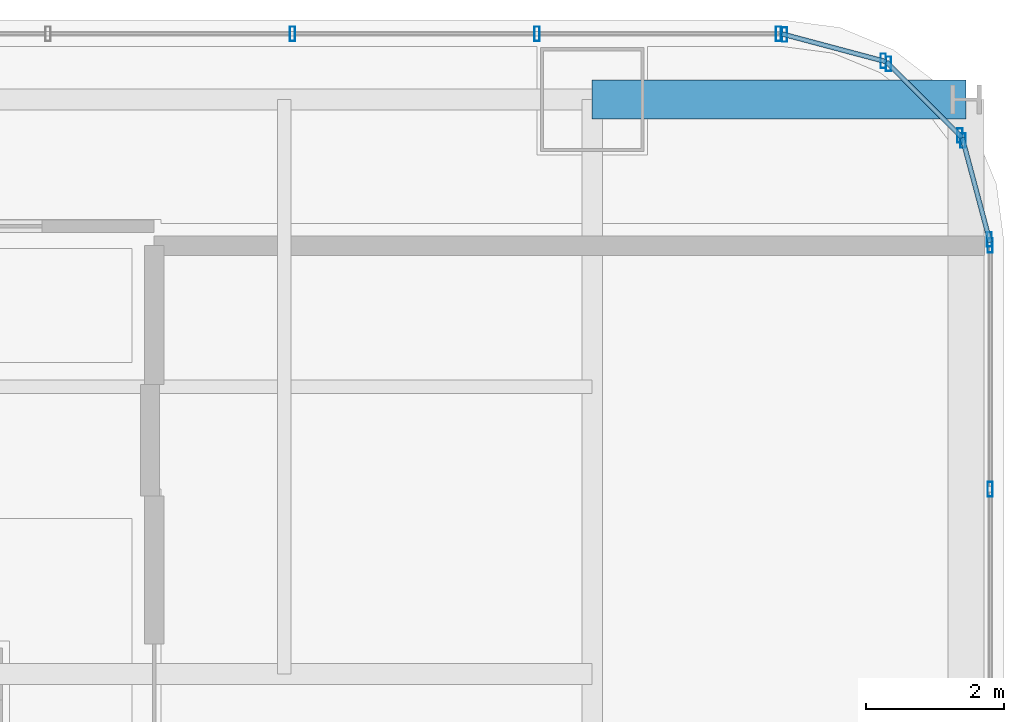
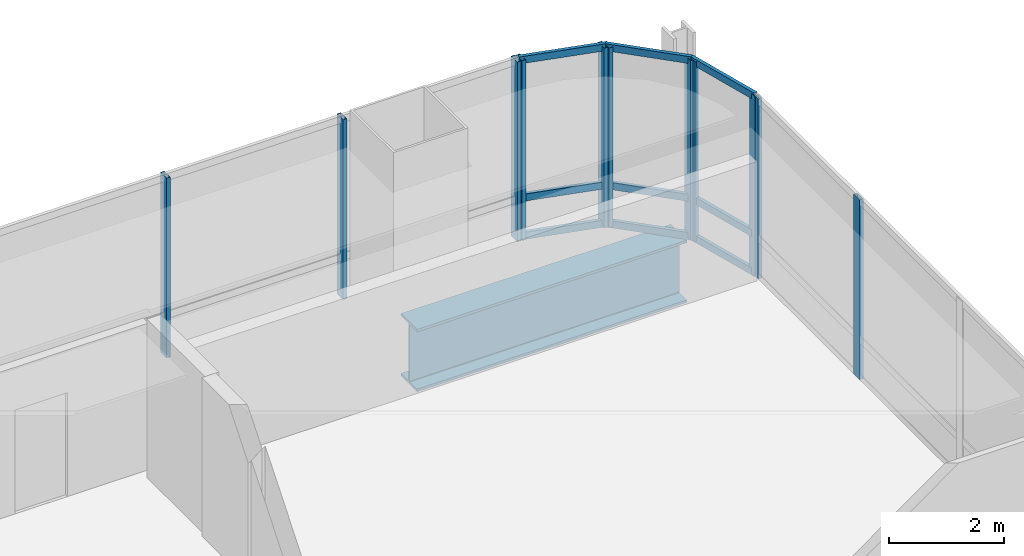
# One storey, part 24 of 34: 20 members, 1 beam, 5 elements without a shape of their own.
"""IFC4 building model written with IfcOpenShell, lengths in metres."""

from ifc_helpers import new_model, si_unit, direction, frame, origin, origin_2d, place, context, subcontext, project, spatial, hollow_rectangle, i_section, extrude, material, material_profile, profile_set, type_object, element, aggregate, save


model = new_model("IFC4")

# Units and contexts
model_context = context("Model", 3, precision=1e-05, world=origin(), true_north=direction((0.0, 1.0)))
body_context = subcontext(model_context, "Body", "Model", "MODEL_VIEW")
ifc_project = project(units=[si_unit("LENGTHUNIT", "METRE"), si_unit("AREAUNIT", "SQUARE_METRE"), si_unit("VOLUMEUNIT", "CUBIC_METRE"), si_unit("PLANEANGLEUNIT", "RADIAN"), si_unit("MASSUNIT", "GRAM", prefix="KILO")], contexts=[model_context])

# Site, building, storey
site_placement = place(None, origin())
site = spatial("IfcSite", under=ifc_project, at=site_placement, CompositionType="ELEMENT")
building_placement = place(site_placement, origin())
building = spatial("IfcBuilding", under=site, at=building_placement, Name="Punatoya Terracotta Tower", CompositionType="ELEMENT")
storey_placement = place(building_placement, frame((0.0, 0.0, 80.85009765625)))
storey = spatial("IfcBuildingStorey", under=building, at=storey_placement, Name="L18", CompositionType="ELEMENT", Elevation=80.85009765625)

# Beam
ifc_material_1 = material(Name="Steel S460", Category="steel")
ifc_material_profile_1 = material_profile(ifc_material_1, i_section(OverallWidth=0.56005859375, OverallDepth=1.320068359375, WebThickness=0.035888671875, FlangeThickness=0.054931640625, FilletRadius=0.01806640625, at=origin_2d()))
ifc_profile_set_1 = profile_set([ifc_material_profile_1], Name="Steel S460")
beam_type = type_object("IfcBeamType", Name="BM-TG-BLK", PredefinedType="BEAM", material=ifc_profile_set_1)
beam_placement = place(storey_placement, frame((19.10009765625, 17.5, -0.900146484375), z_axis=(1.0, 0.0, 0.0), x_axis=(0.0, 1.0, 0.0)))
element("IfcBeam", 1, at=beam_placement, inside=storey, type_object=beam_type, Name="BM-L18-CANT-E4", PredefinedType="BEAM", context=body_context, shape_type="SweptSolid", body=[
    extrude(i_section(OverallWidth=0.56005859375, OverallDepth=1.320068359375, WebThickness=0.035888671875, FlangeThickness=0.054931640625, FilletRadius=0.01806640625, at=origin_2d()), origin(), (0.0, 0.0, 1.0), 5.39990234375),
])

# Curtain wall, members
ifc_material_2 = material(Name="Aluminium 6063-T6 + Double Low-E Glass", Category="aluminium")
curtain_wall_type = type_object("IfcCurtainWallType", Name="CW-M1", PredefinedType="NOTDEFINED", material=ifc_material_2)
curtain_wall_1_placement = place(storey_placement, origin())
curtain_wall_1 = element("IfcCurtainWall", 2, at=curtain_wall_1_placement, inside=storey, type_object=curtain_wall_type, Name="L18 Curtain Wall CW-L18-E05-1", PredefinedType="NOTDEFINED")
ifc_material_3 = material(Name="Aluminium 6063-T6", Category="aluminium")
ifc_material_profile_2 = material_profile(ifc_material_3, hollow_rectangle(XDim=0.074951171875, YDim=0.2099609375, WallThickness=0.00439453125, at=origin_2d()))
ifc_profile_set_2 = profile_set([ifc_material_profile_2], Name="Aluminium 6063-T6")
member_type_1 = type_object("IfcMemberType", Name="CW-MUL-M1", PredefinedType="MULLION", material=ifc_profile_set_2)
member_1_placement = place(storey_placement, frame((24.85009765625, 11.869384765625, 0.0), z_axis=(0.0, 0.0, 1.0), x_axis=(1.0, 0.0, 0.0)))
member_1 = element("IfcMember", 3, at=member_1_placement, type_object=member_type_1, Name="CW-L18-E05-1 Mullion 09", PredefinedType="MULLION", context=body_context, shape_type="SweptSolid", body=[
    extrude(hollow_rectangle(XDim=0.074951171875, YDim=0.2099609375, WallThickness=0.00439453125, at=origin_2d()), origin(), (0.0, 0.0, 1.0), 3.809814453125),
])
member_2_placement = place(storey_placement, frame((24.85009765625, 15.391845703125, 0.0), z_axis=(0.0, 0.0, 1.0), x_axis=(1.0, 0.0, 0.0)))
member_2 = element("IfcMember", 4, at=member_2_placement, type_object=member_type_1, Name="CW-L18-E05-1 Mullion 10", PredefinedType="MULLION", context=body_context, shape_type="SweptSolid", body=[
    extrude(hollow_rectangle(XDim=0.074951171875, YDim=0.2099609375, WallThickness=0.00439453125, at=origin_2d()), origin(), (0.0, 0.0, 1.0), 3.809814453125),
])
aggregate(curtain_wall_1, [member_1, member_2])

curtain_wall_2_placement = place(storey_placement, origin())
curtain_wall_2 = element("IfcCurtainWall", 5, at=curtain_wall_2_placement, inside=storey, type_object=curtain_wall_type, Name="L18 Curtain Wall CW-L18-CRN06", PredefinedType="NOTDEFINED")
member_3_placement = place(storey_placement, frame((24.83837890625, 15.48046875, 0.0), z_axis=(0.0, 0.0, 1.0), x_axis=(1.0, 0.0, 0.0)))
member_3 = element("IfcMember", 6, at=member_3_placement, type_object=member_type_1, Name="CW-L18-CRN06 Mullion 00", PredefinedType="MULLION", context=body_context, shape_type="SweptSolid", body=[
    extrude(hollow_rectangle(XDim=0.074951171875, YDim=0.2099609375, WallThickness=0.00439453125, at=origin_2d()), origin(), (0.0, 0.0, 1.0), 3.809814453125),
])
member_4_placement = place(storey_placement, frame((24.458251953125, 16.905517578125, 0.0), z_axis=(0.0, 0.0, 1.0), x_axis=(1.0, 0.0, 0.0)))
member_4 = element("IfcMember", 7, at=member_4_placement, type_object=member_type_1, Name="CW-L18-CRN06 Mullion 01", PredefinedType="MULLION", context=body_context, shape_type="SweptSolid", body=[
    extrude(hollow_rectangle(XDim=0.074951171875, YDim=0.2099609375, WallThickness=0.00439453125, at=origin_2d()), origin(), (0.0, 0.0, 1.0), 3.809814453125),
])

curtain_wall_3_placement = place(storey_placement, origin())
curtain_wall_3 = element("IfcCurtainWall", 8, at=curtain_wall_3_placement, inside=storey, type_object=curtain_wall_type, Name="L18 Curtain Wall CW-L18-CRN07", PredefinedType="NOTDEFINED")
member_5_placement = place(storey_placement, frame((24.414794921875, 16.98095703125, 0.0), z_axis=(0.0, 0.0, 1.0), x_axis=(1.0, 0.0, 0.0)))
member_5 = element("IfcMember", 9, at=member_5_placement, type_object=member_type_1, Name="CW-L18-CRN07 Mullion 00", PredefinedType="MULLION", context=body_context, shape_type="SweptSolid", body=[
    extrude(hollow_rectangle(XDim=0.074951171875, YDim=0.2099609375, WallThickness=0.00439453125, at=origin_2d()), origin(), (0.0, 0.0, 1.0), 3.809814453125),
])
member_6_placement = place(storey_placement, frame((23.380859375, 18.014892578125, 0.0), z_axis=(0.0, 0.0, 1.0), x_axis=(1.0, 0.0, 0.0)))
member_6 = element("IfcMember", 10, at=member_6_placement, type_object=member_type_1, Name="CW-L18-CRN07 Mullion 01", PredefinedType="MULLION", context=body_context, shape_type="SweptSolid", body=[
    extrude(hollow_rectangle(XDim=0.074951171875, YDim=0.2099609375, WallThickness=0.00439453125, at=origin_2d()), origin(), (0.0, 0.0, 1.0), 3.809814453125),
])

curtain_wall_4_placement = place(storey_placement, origin())
curtain_wall_4 = element("IfcCurtainWall", 11, at=curtain_wall_4_placement, inside=storey, type_object=curtain_wall_type, Name="L18 Curtain Wall CW-L18-CRN08", PredefinedType="NOTDEFINED")
member_7_placement = place(storey_placement, frame((23.3056640625, 18.05810546875, 0.0), z_axis=(0.0, 0.0, 1.0), x_axis=(1.0, 0.0, 0.0)))
member_7 = element("IfcMember", 12, at=member_7_placement, type_object=member_type_1, Name="CW-L18-CRN08 Mullion 00", PredefinedType="MULLION", context=body_context, shape_type="SweptSolid", body=[
    extrude(hollow_rectangle(XDim=0.074951171875, YDim=0.2099609375, WallThickness=0.00439453125, at=origin_2d()), origin(), (0.0, 0.0, 1.0), 3.809814453125),
])
member_8_placement = place(storey_placement, frame((21.88037109375, 18.4384765625, 0.0), z_axis=(0.0, 0.0, 1.0), x_axis=(1.0, 0.0, 0.0)))
member_8 = element("IfcMember", 13, at=member_8_placement, type_object=member_type_1, Name="CW-L18-CRN08 Mullion 01", PredefinedType="MULLION", context=body_context, shape_type="SweptSolid", body=[
    extrude(hollow_rectangle(XDim=0.074951171875, YDim=0.2099609375, WallThickness=0.00439453125, at=origin_2d()), origin(), (0.0, 0.0, 1.0), 3.809814453125),
])

curtain_wall_5_placement = place(storey_placement, origin())
curtain_wall_5 = element("IfcCurtainWall", 14, at=curtain_wall_5_placement, inside=storey, type_object=curtain_wall_type, Name="L18 Curtain Wall CW-L18-N09-1", PredefinedType="NOTDEFINED")
member_9_placement = place(storey_placement, frame((21.7919921875, 18.449951171875, 0.0), z_axis=(0.0, 0.0, 1.0), x_axis=(1.0, 0.0, 0.0)))
member_9 = element("IfcMember", 15, at=member_9_placement, type_object=member_type_1, Name="CW-L18-N09-1 Mullion 00", PredefinedType="MULLION", context=body_context, shape_type="SweptSolid", body=[
    extrude(hollow_rectangle(XDim=0.074951171875, YDim=0.2099609375, WallThickness=0.00439453125, at=origin_2d()), origin(), (0.0, 0.0, 1.0), 3.809814453125),
])
member_10_placement = place(storey_placement, frame((18.302978515625, 18.449951171875, 0.0), z_axis=(0.0, 0.0, 1.0), x_axis=(1.0, 0.0, 0.0)))
member_10 = element("IfcMember", 16, at=member_10_placement, type_object=member_type_1, Name="CW-L18-N09-1 Mullion 01", PredefinedType="MULLION", context=body_context, shape_type="SweptSolid", body=[
    extrude(hollow_rectangle(XDim=0.074951171875, YDim=0.2099609375, WallThickness=0.00439453125, at=origin_2d()), origin(), (0.0, 0.0, 1.0), 3.809814453125),
])
member_11_placement = place(storey_placement, frame((14.768798828125, 18.449951171875, 0.0), z_axis=(0.0, 0.0, 1.0), x_axis=(1.0, 0.0, 0.0)))
member_11 = element("IfcMember", 17, at=member_11_placement, type_object=member_type_1, Name="CW-L18-N09-1 Mullion 02", PredefinedType="MULLION", context=body_context, shape_type="SweptSolid", body=[
    extrude(hollow_rectangle(XDim=0.074951171875, YDim=0.2099609375, WallThickness=0.00439453125, at=origin_2d()), origin(), (0.0, 0.0, 1.0), 3.809814453125),
])
aggregate(curtain_wall_5, [member_9, member_10, member_11])

# Member
ifc_material_profile_3 = material_profile(ifc_material_3, hollow_rectangle(XDim=0.068115234375, YDim=0.14990234375, WallThickness=0.00390625, at=origin_2d()))
ifc_profile_set_3 = profile_set([ifc_material_profile_3], Name="Aluminium 6063-T6")
member_type_2 = type_object("IfcMemberType", Name="CW-TRN-TYP", PredefinedType="USERDEFINED", material=ifc_profile_set_3)
member_12_placement = place(storey_placement, frame((24.85009765625, 15.43701171875, 0.039794921875), z_axis=(-0.257847112249, 0.966185730957, 0.0), x_axis=(-0.966185730957, -0.257847112249, 0.0)))
member_12 = element("IfcMember", 18, at=member_12_placement, type_object=member_type_2, Name="CW-L18-CRN06 Transom 1", ObjectType="TRANSOM", PredefinedType="USERDEFINED", context=body_context, shape_type="SweptSolid", body=[
    extrude(hollow_rectangle(XDim=0.068115234375, YDim=0.14990234375, WallThickness=0.00390625, at=origin_2d()), origin(), (0.0, 0.0, 1.0), 1.565185546875),
])

member_13_placement = place(storey_placement, frame((24.85009765625, 15.43701171875, 0.849853515625), z_axis=(-0.257847112249, 0.966185730957, 0.0), x_axis=(-0.966185730957, -0.257847112249, 0.0)))
member_13 = element("IfcMember", 19, at=member_13_placement, type_object=member_type_2, Name="CW-L18-CRN06 Transom 2", ObjectType="TRANSOM", PredefinedType="USERDEFINED", context=body_context, shape_type="SweptSolid", body=[
    extrude(hollow_rectangle(XDim=0.068115234375, YDim=0.14990234375, WallThickness=0.00390625, at=origin_2d()), origin(), (0.0, 0.0, 1.0), 1.565185546875),
])

member_14_placement = place(storey_placement, frame((24.85009765625, 15.43701171875, 3.77001953125), z_axis=(-0.257847112249, 0.966185730957, 0.0), x_axis=(-0.966185730957, -0.257847112249, 0.0)))
member_14 = element("IfcMember", 20, at=member_14_placement, type_object=member_type_2, Name="CW-L18-CRN06 Transom 3", ObjectType="TRANSOM", PredefinedType="USERDEFINED", context=body_context, shape_type="SweptSolid", body=[
    extrude(hollow_rectangle(XDim=0.068115234375, YDim=0.14990234375, WallThickness=0.00390625, at=origin_2d()), origin(), (0.0, 0.0, 1.0), 1.565185546875),
])

aggregate(curtain_wall_2, [member_3, member_4, member_12, member_13, member_14])

member_15_placement = place(storey_placement, frame((24.446533203125, 16.94921875, 0.039794921875), z_axis=(-0.707106781187, 0.707106781187, 0.0), x_axis=(-0.707106781187, -0.707106781187, 0.0)))
member_15 = element("IfcMember", 21, at=member_15_placement, type_object=member_type_2, Name="CW-L18-CRN07 Transom 1", ObjectType="TRANSOM", PredefinedType="USERDEFINED", context=body_context, shape_type="SweptSolid", body=[
    extrude(hollow_rectangle(XDim=0.068115234375, YDim=0.14990234375, WallThickness=0.00390625, at=origin_2d()), origin(), (0.0, 0.0, 1.0), 1.552001953125),
])

member_16_placement = place(storey_placement, frame((24.446533203125, 16.94921875, 0.849853515625), z_axis=(-0.707106781187, 0.707106781187, 0.0), x_axis=(-0.707106781187, -0.707106781187, 0.0)))
member_16 = element("IfcMember", 22, at=member_16_placement, type_object=member_type_2, Name="CW-L18-CRN07 Transom 2", ObjectType="TRANSOM", PredefinedType="USERDEFINED", context=body_context, shape_type="SweptSolid", body=[
    extrude(hollow_rectangle(XDim=0.068115234375, YDim=0.14990234375, WallThickness=0.00390625, at=origin_2d()), origin(), (0.0, 0.0, 1.0), 1.552001953125),
])

member_17_placement = place(storey_placement, frame((24.446533203125, 16.94921875, 3.77001953125), z_axis=(-0.707106781187, 0.707106781187, 0.0), x_axis=(-0.707106781187, -0.707106781187, 0.0)))
member_17 = element("IfcMember", 23, at=member_17_placement, type_object=member_type_2, Name="CW-L18-CRN07 Transom 3", ObjectType="TRANSOM", PredefinedType="USERDEFINED", context=body_context, shape_type="SweptSolid", body=[
    extrude(hollow_rectangle(XDim=0.068115234375, YDim=0.14990234375, WallThickness=0.00390625, at=origin_2d()), origin(), (0.0, 0.0, 1.0), 1.552001953125),
])

aggregate(curtain_wall_3, [member_5, member_6, member_15, member_16, member_17])

member_18_placement = place(storey_placement, frame((23.34912109375, 18.046630859375, 0.039794921875), z_axis=(-0.966224582397, 0.257701486942, 0.0), x_axis=(-0.257701486942, -0.966224582397, 0.0)))
member_18 = element("IfcMember", 24, at=member_18_placement, type_object=member_type_2, Name="CW-L18-CRN08 Transom 1", ObjectType="TRANSOM", PredefinedType="USERDEFINED", context=body_context, shape_type="SweptSolid", body=[
    extrude(hollow_rectangle(XDim=0.068115234375, YDim=0.14990234375, WallThickness=0.00390625, at=origin_2d()), origin(), (0.0, 0.0, 1.0), 1.565185546875),
])

member_19_placement = place(storey_placement, frame((23.34912109375, 18.046630859375, 0.849853515625), z_axis=(-0.966224582397, 0.257701486942, 0.0), x_axis=(-0.257701486942, -0.966224582397, 0.0)))
member_19 = element("IfcMember", 25, at=member_19_placement, type_object=member_type_2, Name="CW-L18-CRN08 Transom 2", ObjectType="TRANSOM", PredefinedType="USERDEFINED", context=body_context, shape_type="SweptSolid", body=[
    extrude(hollow_rectangle(XDim=0.068115234375, YDim=0.14990234375, WallThickness=0.00390625, at=origin_2d()), origin(), (0.0, 0.0, 1.0), 1.565185546875),
])

member_20_placement = place(storey_placement, frame((23.34912109375, 18.046630859375, 3.77001953125), z_axis=(-0.966224582397, 0.257701486942, 0.0), x_axis=(-0.257701486942, -0.966224582397, 0.0)))
member_20 = element("IfcMember", 26, at=member_20_placement, type_object=member_type_2, Name="CW-L18-CRN08 Transom 3", ObjectType="TRANSOM", PredefinedType="USERDEFINED", context=body_context, shape_type="SweptSolid", body=[
    extrude(hollow_rectangle(XDim=0.068115234375, YDim=0.14990234375, WallThickness=0.00390625, at=origin_2d()), origin(), (0.0, 0.0, 1.0), 1.565185546875),
])

aggregate(curtain_wall_4, [member_7, member_8, member_18, member_19, member_20])

save(model, "model.ifc")
